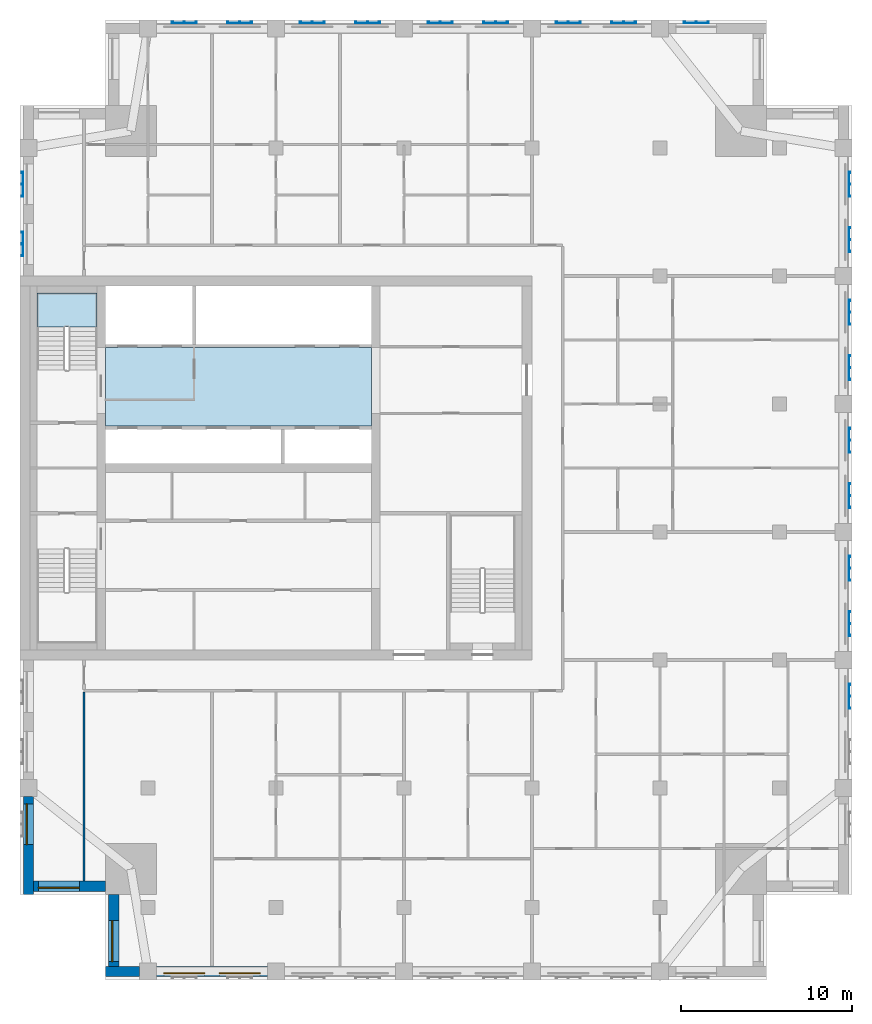
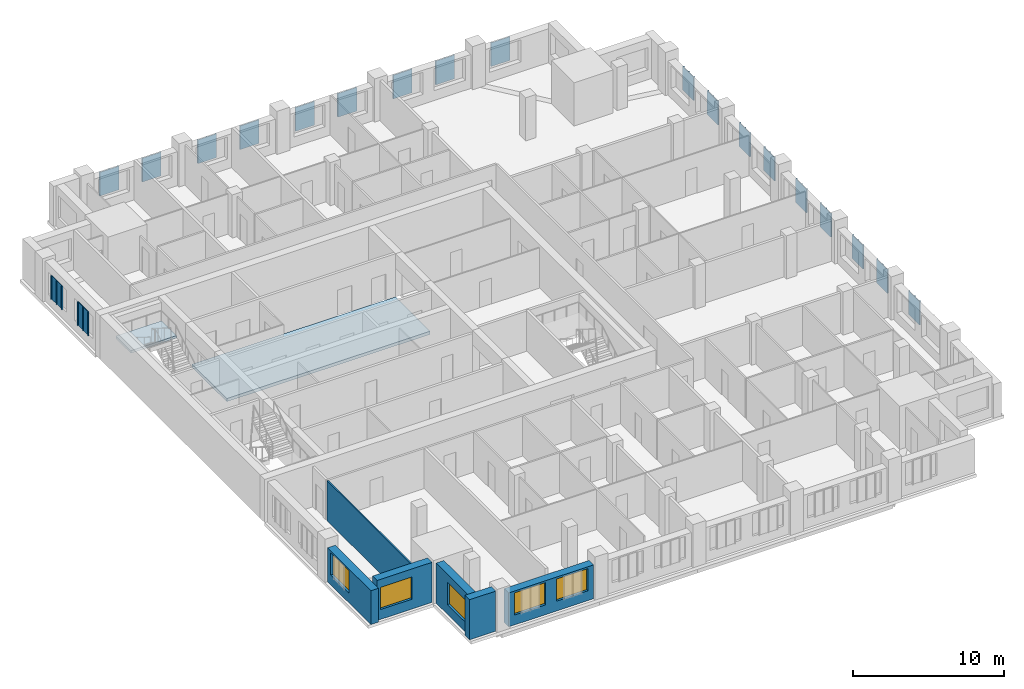
# One storey, part 2 of 11: 20 plates, 6 walls, 5 windows, 2 slabs, 5 openings, 1 element without a shape of its own.
"""IFC4 building model written with IfcOpenShell, lengths in metres."""

from ifc_helpers import new_model, si_unit, direction, frame, frame_2d, origin, place, context, subcontext, project, spatial, polyline, rectangle, outline, extrude, material, layer, layer_set, type_object, element, fill, aggregate, save


model = new_model("IFC4")

# Units and contexts
model_context = context("Model", 3, precision=1e-05, world=origin(), true_north=direction((0.0, 1.0)))
body_context = subcontext(model_context, "Body", "Model", "MODEL_VIEW")
ifc_project = project(units=[si_unit("LENGTHUNIT", "METRE"), si_unit("AREAUNIT", "SQUARE_METRE"), si_unit("VOLUMEUNIT", "CUBIC_METRE"), si_unit("PLANEANGLEUNIT", "RADIAN"), si_unit("MASSUNIT", "GRAM", prefix="KILO")], contexts=[model_context])

# Site, building, storey
site_placement = place(None, origin())
site = spatial("IfcSite", under=ifc_project, at=site_placement, CompositionType="ELEMENT")
building_placement = place(site_placement, origin())
building = spatial("IfcBuilding", under=site, at=building_placement, Name="Tamorin Gate", CompositionType="ELEMENT")
storey_placement = place(building_placement, frame((0.0, 0.0, 247.699951171875)))
storey = spatial("IfcBuildingStorey", under=building, at=storey_placement, Name="L62", CompositionType="ELEMENT", Elevation=247.699951171875)

# Slab
ifc_material_1 = material(Name="Concrete C40/50", Category="concrete")
ifc_layer_1 = layer(ifc_material_1, 0.25)
ifc_layer_set_1 = layer_set([ifc_layer_1], Name="Core floor slab 250 C40/50")
slab_type_1 = type_object("IfcSlabType", Name="Core floor slab 250 C40/50", PredefinedType="FLOOR", material=ifc_layer_set_1)
slab_1_placement = place(storey_placement, frame((0.0, 0.0, -0.25)))
element("IfcSlab", 1, at=slab_1_placement, inside=storey, type_object=slab_type_1, Name="Core floor L62", PredefinedType="FLOOR", context=body_context, shape_type="SweptSolid", body=[
    extrude(outline(polyline([(50.60009765625, 73.699951171875), (35.0, 73.699951171875), (35.0, 78.300048828125), (50.60009765625, 78.300048828125), (50.60009765625, 73.699951171875)])), origin(), (0.0, 0.0, 1.0), 0.25),
])

# Stair, slab
stair_type = type_object("IfcStairType", Name="Exit stair", PredefinedType="HALF_TURN_STAIR", material=ifc_material_1)
stair_placement = place(storey_placement, origin())
stair = element("IfcStair", 2, at=stair_placement, inside=storey, type_object=stair_type, Name="L62 stair ST2", PredefinedType="HALF_TURN_STAIR")
ifc_layer_2 = layer(ifc_material_1, 0.199951171875)
ifc_layer_set_2 = layer_set([ifc_layer_2], Name="Exit stair landing 200")
slab_type_2 = type_object("IfcSlabType", Name="Exit stair landing 200", PredefinedType="LANDING", material=ifc_layer_set_2)
slab_2_placement = place(storey_placement, frame((0.0, 0.0, 1.550048828125)))
slab_2 = element("IfcSlab", 3, at=slab_2_placement, type_object=slab_type_2, Name="ST2 landing 1", PredefinedType="LANDING", context=body_context, shape_type="SweptSolid", body=[
    extrude(outline(polyline([(34.5, 79.52001953125), (34.5, 81.5), (31.0, 81.5), (31.0, 79.52001953125), (34.5, 79.52001953125)])), origin(), (0.0, 0.0, 1.0), 0.199951171875),
])
aggregate(stair, [slab_2])

# Plates
ifc_material_2 = material(Name="Perforated pale aluminium sheet", Category="aluminium")
ifc_layer_3 = layer(ifc_material_2, 0.0400390625)
ifc_layer_set_3 = layer_set([ifc_layer_3], Name="Pale metal solar screen 1440")
plate_type = type_object("IfcPlateType", Name="Pale metal solar screen 1440", PredefinedType="SHEET", material=ifc_layer_set_3)
plate_1_placement = place(storey_placement, frame((0.0, 0.0, 0.737548828125)))
element("IfcPlate", 4, at=plate_1_placement, inside=storey, type_object=plate_type, Name="Perforated solar screen", PredefinedType="SHEET", context=body_context, shape_type="SweptSolid", body=[
    extrude(outline(polyline([(78.590087890625, 57.155029296875), (78.550048828125, 57.155029296875), (78.550048828125, 57.215087890625), (78.550048828125, 57.844970703125), (78.550048828125, 57.905029296875), (78.550048828125, 58.534912109375), (78.550048828125, 58.594970703125), (78.590087890625, 58.594970703125), (78.64990234375, 58.594970703125), (78.64990234375, 58.534912109375), (78.590087890625, 58.534912109375), (78.590087890625, 57.905029296875), (78.64990234375, 57.905029296875), (78.64990234375, 57.844970703125), (78.590087890625, 57.844970703125), (78.590087890625, 57.215087890625), (78.64990234375, 57.215087890625), (78.64990234375, 57.155029296875), (78.590087890625, 57.155029296875)])), origin(), (0.0, 0.0, 1.0), 1.925048828125),
])
plate_2_placement = place(storey_placement, frame((0.0, 0.0, 0.737548828125)))
element("IfcPlate", 5, at=plate_2_placement, inside=storey, type_object=plate_type, Name="Perforated solar screen", PredefinedType="SHEET", context=body_context, shape_type="SweptSolid", body=[
    extrude(outline(polyline([(78.590087890625, 61.405029296875), (78.550048828125, 61.405029296875), (78.550048828125, 61.465087890625), (78.550048828125, 62.094970703125), (78.550048828125, 62.155029296875), (78.550048828125, 62.784912109375), (78.550048828125, 62.844970703125), (78.590087890625, 62.844970703125), (78.64990234375, 62.844970703125), (78.64990234375, 62.784912109375), (78.590087890625, 62.784912109375), (78.590087890625, 62.155029296875), (78.64990234375, 62.155029296875), (78.64990234375, 62.094970703125), (78.590087890625, 62.094970703125), (78.590087890625, 61.465087890625), (78.64990234375, 61.465087890625), (78.64990234375, 61.405029296875), (78.590087890625, 61.405029296875)])), origin(), (0.0, 0.0, 1.0), 1.925048828125),
])
plate_3_placement = place(storey_placement, frame((0.0, 0.0, 0.737548828125)))
element("IfcPlate", 6, at=plate_3_placement, inside=storey, type_object=plate_type, Name="Perforated solar screen", PredefinedType="SHEET", context=body_context, shape_type="SweptSolid", body=[
    extrude(outline(polyline([(78.590087890625, 64.655029296875), (78.550048828125, 64.655029296875), (78.550048828125, 64.715087890625), (78.550048828125, 65.344970703125), (78.550048828125, 65.405029296875), (78.550048828125, 66.034912109375), (78.550048828125, 66.094970703125), (78.590087890625, 66.094970703125), (78.64990234375, 66.094970703125), (78.64990234375, 66.034912109375), (78.590087890625, 66.034912109375), (78.590087890625, 65.405029296875), (78.64990234375, 65.405029296875), (78.64990234375, 65.344970703125), (78.590087890625, 65.344970703125), (78.590087890625, 64.715087890625), (78.64990234375, 64.715087890625), (78.64990234375, 64.655029296875), (78.590087890625, 64.655029296875)])), origin(), (0.0, 0.0, 1.0), 1.925048828125),
])
plate_4_placement = place(storey_placement, frame((0.0, 0.0, 0.737548828125)))
element("IfcPlate", 7, at=plate_4_placement, inside=storey, type_object=plate_type, Name="Perforated solar screen", PredefinedType="SHEET", context=body_context, shape_type="SweptSolid", body=[
    extrude(outline(polyline([(78.590087890625, 68.905029296875), (78.550048828125, 68.905029296875), (78.550048828125, 68.965087890625), (78.550048828125, 69.594970703125), (78.550048828125, 69.655029296875), (78.550048828125, 70.284912109375), (78.550048828125, 70.344970703125), (78.590087890625, 70.344970703125), (78.64990234375, 70.344970703125), (78.64990234375, 70.284912109375), (78.590087890625, 70.284912109375), (78.590087890625, 69.655029296875), (78.64990234375, 69.655029296875), (78.64990234375, 69.594970703125), (78.590087890625, 69.594970703125), (78.590087890625, 68.965087890625), (78.64990234375, 68.965087890625), (78.64990234375, 68.905029296875), (78.590087890625, 68.905029296875)])), origin(), (0.0, 0.0, 1.0), 1.925048828125),
])
plate_5_placement = place(storey_placement, frame((0.0, 0.0, 0.737548828125)))
element("IfcPlate", 8, at=plate_5_placement, inside=storey, type_object=plate_type, Name="Perforated solar screen", PredefinedType="SHEET", context=body_context, shape_type="SweptSolid", body=[
    extrude(outline(polyline([(78.590087890625, 72.155029296875), (78.550048828125, 72.155029296875), (78.550048828125, 72.215087890625), (78.550048828125, 72.844970703125), (78.550048828125, 72.905029296875), (78.550048828125, 73.534912109375), (78.550048828125, 73.594970703125), (78.590087890625, 73.594970703125), (78.64990234375, 73.594970703125), (78.64990234375, 73.534912109375), (78.590087890625, 73.534912109375), (78.590087890625, 72.905029296875), (78.64990234375, 72.905029296875), (78.64990234375, 72.844970703125), (78.590087890625, 72.844970703125), (78.590087890625, 72.215087890625), (78.64990234375, 72.215087890625), (78.64990234375, 72.155029296875), (78.590087890625, 72.155029296875)])), origin(), (0.0, 0.0, 1.0), 1.925048828125),
])
plate_6_placement = place(storey_placement, frame((0.0, 0.0, 0.737548828125)))
element("IfcPlate", 9, at=plate_6_placement, inside=storey, type_object=plate_type, Name="Perforated solar screen", PredefinedType="SHEET", context=body_context, shape_type="SweptSolid", body=[
    extrude(outline(polyline([(78.590087890625, 76.405029296875), (78.550048828125, 76.405029296875), (78.550048828125, 76.465087890625), (78.550048828125, 77.094970703125), (78.550048828125, 77.155029296875), (78.550048828125, 77.784912109375), (78.550048828125, 77.844970703125), (78.590087890625, 77.844970703125), (78.64990234375, 77.844970703125), (78.64990234375, 77.784912109375), (78.590087890625, 77.784912109375), (78.590087890625, 77.155029296875), (78.64990234375, 77.155029296875), (78.64990234375, 77.094970703125), (78.590087890625, 77.094970703125), (78.590087890625, 76.465087890625), (78.64990234375, 76.465087890625), (78.64990234375, 76.405029296875), (78.590087890625, 76.405029296875)])), origin(), (0.0, 0.0, 1.0), 1.925048828125),
])
plate_7_placement = place(storey_placement, frame((0.0, 0.0, 0.737548828125)))
element("IfcPlate", 10, at=plate_7_placement, inside=storey, type_object=plate_type, Name="Perforated solar screen", PredefinedType="SHEET", context=body_context, shape_type="SweptSolid", body=[
    extrude(outline(polyline([(78.590087890625, 79.655029296875), (78.550048828125, 79.655029296875), (78.550048828125, 79.715087890625), (78.550048828125, 80.344970703125), (78.550048828125, 80.405029296875), (78.550048828125, 81.034912109375), (78.550048828125, 81.094970703125), (78.590087890625, 81.094970703125), (78.64990234375, 81.094970703125), (78.64990234375, 81.034912109375), (78.590087890625, 81.034912109375), (78.590087890625, 80.405029296875), (78.64990234375, 80.405029296875), (78.64990234375, 80.344970703125), (78.590087890625, 80.344970703125), (78.590087890625, 79.715087890625), (78.64990234375, 79.715087890625), (78.64990234375, 79.655029296875), (78.590087890625, 79.655029296875)])), origin(), (0.0, 0.0, 1.0), 1.925048828125),
])
plate_8_placement = place(storey_placement, frame((0.0, 0.0, 0.737548828125)))
element("IfcPlate", 11, at=plate_8_placement, inside=storey, type_object=plate_type, Name="Perforated solar screen", PredefinedType="SHEET", context=body_context, shape_type="SweptSolid", body=[
    extrude(outline(polyline([(78.590087890625, 83.905029296875), (78.550048828125, 83.905029296875), (78.550048828125, 83.965087890625), (78.550048828125, 84.594970703125), (78.550048828125, 84.655029296875), (78.550048828125, 85.284912109375), (78.550048828125, 85.344970703125), (78.590087890625, 85.344970703125), (78.64990234375, 85.344970703125), (78.64990234375, 85.284912109375), (78.590087890625, 85.284912109375), (78.590087890625, 84.655029296875), (78.64990234375, 84.655029296875), (78.64990234375, 84.594970703125), (78.590087890625, 84.594970703125), (78.590087890625, 83.965087890625), (78.64990234375, 83.965087890625), (78.64990234375, 83.905029296875), (78.590087890625, 83.905029296875)])), origin(), (0.0, 0.0, 1.0), 1.925048828125),
])
plate_9_placement = place(storey_placement, frame((0.0, 0.0, 0.737548828125)))
element("IfcPlate", 12, at=plate_9_placement, inside=storey, type_object=plate_type, Name="Perforated solar screen", PredefinedType="SHEET", context=body_context, shape_type="SweptSolid", body=[
    extrude(outline(polyline([(78.590087890625, 87.155029296875), (78.550048828125, 87.155029296875), (78.550048828125, 87.215087890625), (78.550048828125, 87.844970703125), (78.550048828125, 87.905029296875), (78.550048828125, 88.534912109375), (78.550048828125, 88.594970703125), (78.590087890625, 88.594970703125), (78.64990234375, 88.594970703125), (78.64990234375, 88.534912109375), (78.590087890625, 88.534912109375), (78.590087890625, 87.905029296875), (78.64990234375, 87.905029296875), (78.64990234375, 87.844970703125), (78.590087890625, 87.844970703125), (78.590087890625, 87.215087890625), (78.64990234375, 87.215087890625), (78.64990234375, 87.155029296875), (78.590087890625, 87.155029296875)])), origin(), (0.0, 0.0, 1.0), 1.925048828125),
])
plate_10_placement = place(storey_placement, frame((0.0, 0.0, 0.737548828125)))
element("IfcPlate", 13, at=plate_10_placement, inside=storey, type_object=plate_type, Name="Perforated solar screen", PredefinedType="SHEET", context=body_context, shape_type="SweptSolid", body=[
    extrude(outline(polyline([(70.344970703125, 97.340087890625), (70.344970703125, 97.300048828125), (70.284912109375, 97.300048828125), (69.655029296875, 97.300048828125), (69.594970703125, 97.300048828125), (68.965087890625, 97.300048828125), (68.905029296875, 97.300048828125), (68.905029296875, 97.300048828125), (68.905029296875, 97.340087890625), (68.905029296875, 97.340087890625), (68.905029296875, 97.39990234375), (68.965087890625, 97.39990234375), (68.965087890625, 97.340087890625), (69.594970703125, 97.340087890625), (69.594970703125, 97.39990234375), (69.655029296875, 97.39990234375), (69.655029296875, 97.340087890625), (70.284912109375, 97.340087890625), (70.284912109375, 97.39990234375), (70.344970703125, 97.39990234375), (70.344970703125, 97.340087890625)])), origin(), (0.0, 0.0, 1.0), 1.925048828125),
])
plate_11_placement = place(storey_placement, frame((0.0, 0.0, 0.737548828125)))
element("IfcPlate", 14, at=plate_11_placement, inside=storey, type_object=plate_type, Name="Perforated solar screen", PredefinedType="SHEET", context=body_context, shape_type="SweptSolid", body=[
    extrude(outline(polyline([(62.844970703125, 97.340087890625), (62.844970703125, 97.300048828125), (62.784912109375, 97.300048828125), (62.155029296875, 97.300048828125), (62.094970703125, 97.300048828125), (61.465087890625, 97.300048828125), (61.405029296875, 97.300048828125), (61.405029296875, 97.340087890625), (61.405029296875, 97.39990234375), (61.465087890625, 97.39990234375), (61.465087890625, 97.340087890625), (62.094970703125, 97.340087890625), (62.094970703125, 97.39990234375), (62.155029296875, 97.39990234375), (62.155029296875, 97.340087890625), (62.784912109375, 97.340087890625), (62.784912109375, 97.39990234375), (62.844970703125, 97.39990234375), (62.844970703125, 97.340087890625)])), origin(), (0.0, 0.0, 1.0), 1.925048828125),
])
plate_12_placement = place(storey_placement, frame((0.0, 0.0, 0.737548828125)))
element("IfcPlate", 15, at=plate_12_placement, inside=storey, type_object=plate_type, Name="Perforated solar screen", PredefinedType="SHEET", context=body_context, shape_type="SweptSolid", body=[
    extrude(outline(polyline([(66.094970703125, 97.340087890625), (66.094970703125, 97.300048828125), (66.034912109375, 97.300048828125), (65.405029296875, 97.300048828125), (65.344970703125, 97.300048828125), (64.715087890625, 97.300048828125), (64.655029296875, 97.300048828125), (64.655029296875, 97.340087890625), (64.655029296875, 97.39990234375), (64.715087890625, 97.39990234375), (64.715087890625, 97.340087890625), (65.344970703125, 97.340087890625), (65.344970703125, 97.39990234375), (65.405029296875, 97.39990234375), (65.405029296875, 97.340087890625), (66.034912109375, 97.340087890625), (66.034912109375, 97.39990234375), (66.094970703125, 97.39990234375), (66.094970703125, 97.340087890625)])), origin(), (0.0, 0.0, 1.0), 1.925048828125),
])
plate_13_placement = place(storey_placement, frame((0.0, 0.0, 0.737548828125)))
element("IfcPlate", 16, at=plate_13_placement, inside=storey, type_object=plate_type, Name="Perforated solar screen", PredefinedType="SHEET", context=body_context, shape_type="SweptSolid", body=[
    extrude(outline(polyline([(55.344970703125, 97.340087890625), (55.344970703125, 97.300048828125), (55.284912109375, 97.300048828125), (54.655029296875, 97.300048828125), (54.594970703125, 97.300048828125), (53.965087890625, 97.300048828125), (53.905029296875, 97.300048828125), (53.905029296875, 97.340087890625), (53.905029296875, 97.39990234375), (53.965087890625, 97.39990234375), (53.965087890625, 97.340087890625), (54.594970703125, 97.340087890625), (54.594970703125, 97.39990234375), (54.655029296875, 97.39990234375), (54.655029296875, 97.340087890625), (55.284912109375, 97.340087890625), (55.284912109375, 97.39990234375), (55.344970703125, 97.39990234375), (55.344970703125, 97.340087890625)])), origin(), (0.0, 0.0, 1.0), 1.925048828125),
])
plate_14_placement = place(storey_placement, frame((0.0, 0.0, 0.737548828125)))
element("IfcPlate", 17, at=plate_14_placement, inside=storey, type_object=plate_type, Name="Perforated solar screen", PredefinedType="SHEET", context=body_context, shape_type="SweptSolid", body=[
    extrude(outline(polyline([(58.594970703125, 97.340087890625), (58.594970703125, 97.300048828125), (58.534912109375, 97.300048828125), (57.905029296875, 97.300048828125), (57.844970703125, 97.300048828125), (57.215087890625, 97.300048828125), (57.155029296875, 97.300048828125), (57.155029296875, 97.340087890625), (57.155029296875, 97.39990234375), (57.215087890625, 97.39990234375), (57.215087890625, 97.340087890625), (57.844970703125, 97.340087890625), (57.844970703125, 97.39990234375), (57.905029296875, 97.39990234375), (57.905029296875, 97.340087890625), (58.534912109375, 97.340087890625), (58.534912109375, 97.39990234375), (58.594970703125, 97.39990234375), (58.594970703125, 97.340087890625)])), origin(), (0.0, 0.0, 1.0), 1.925048828125),
])
plate_15_placement = place(storey_placement, frame((0.0, 0.0, 0.737548828125)))
element("IfcPlate", 18, at=plate_15_placement, inside=storey, type_object=plate_type, Name="Perforated solar screen", PredefinedType="SHEET", context=body_context, shape_type="SweptSolid", body=[
    extrude(outline(polyline([(47.844970703125, 97.340087890625), (47.844970703125, 97.300048828125), (47.784912109375, 97.300048828125), (47.155029296875, 97.300048828125), (47.094970703125, 97.300048828125), (46.465087890625, 97.300048828125), (46.405029296875, 97.300048828125), (46.405029296875, 97.340087890625), (46.405029296875, 97.39990234375), (46.465087890625, 97.39990234375), (46.465087890625, 97.340087890625), (47.094970703125, 97.340087890625), (47.094970703125, 97.39990234375), (47.155029296875, 97.39990234375), (47.155029296875, 97.340087890625), (47.784912109375, 97.340087890625), (47.784912109375, 97.39990234375), (47.844970703125, 97.39990234375), (47.844970703125, 97.340087890625)])), origin(), (0.0, 0.0, 1.0), 1.925048828125),
])
plate_16_placement = place(storey_placement, frame((0.0, 0.0, 0.737548828125)))
element("IfcPlate", 19, at=plate_16_placement, inside=storey, type_object=plate_type, Name="Perforated solar screen", PredefinedType="SHEET", context=body_context, shape_type="SweptSolid", body=[
    extrude(outline(polyline([(51.094970703125, 97.340087890625), (51.094970703125, 97.300048828125), (51.034912109375, 97.300048828125), (50.405029296875, 97.300048828125), (50.344970703125, 97.300048828125), (49.715087890625, 97.300048828125), (49.655029296875, 97.300048828125), (49.655029296875, 97.340087890625), (49.655029296875, 97.39990234375), (49.715087890625, 97.39990234375), (49.715087890625, 97.340087890625), (50.344970703125, 97.340087890625), (50.344970703125, 97.39990234375), (50.405029296875, 97.39990234375), (50.405029296875, 97.340087890625), (51.034912109375, 97.340087890625), (51.034912109375, 97.39990234375), (51.094970703125, 97.39990234375), (51.094970703125, 97.340087890625)])), origin(), (0.0, 0.0, 1.0), 1.925048828125),
])
plate_17_placement = place(storey_placement, frame((0.0, 0.0, 0.737548828125)))
element("IfcPlate", 20, at=plate_17_placement, inside=storey, type_object=plate_type, Name="Perforated solar screen", PredefinedType="SHEET", context=body_context, shape_type="SweptSolid", body=[
    extrude(outline(polyline([(40.344970703125, 97.340087890625), (40.344970703125, 97.300048828125), (40.284912109375, 97.300048828125), (39.655029296875, 97.300048828125), (39.594970703125, 97.300048828125), (38.965087890625, 97.300048828125), (38.905029296875, 97.300048828125), (38.905029296875, 97.340087890625), (38.905029296875, 97.39990234375), (38.965087890625, 97.39990234375), (38.965087890625, 97.340087890625), (39.594970703125, 97.340087890625), (39.594970703125, 97.39990234375), (39.655029296875, 97.39990234375), (39.655029296875, 97.340087890625), (40.284912109375, 97.340087890625), (40.284912109375, 97.39990234375), (40.344970703125, 97.39990234375), (40.344970703125, 97.340087890625)])), origin(), (0.0, 0.0, 1.0), 1.925048828125),
])
plate_18_placement = place(storey_placement, frame((0.0, 0.0, 0.737548828125)))
element("IfcPlate", 21, at=plate_18_placement, inside=storey, type_object=plate_type, Name="Perforated solar screen", PredefinedType="SHEET", context=body_context, shape_type="SweptSolid", body=[
    extrude(outline(polyline([(43.594970703125, 97.340087890625), (43.594970703125, 97.300048828125), (43.534912109375, 97.300048828125), (42.905029296875, 97.300048828125), (42.844970703125, 97.300048828125), (42.215087890625, 97.300048828125), (42.155029296875, 97.300048828125), (42.155029296875, 97.340087890625), (42.155029296875, 97.39990234375), (42.215087890625, 97.39990234375), (42.215087890625, 97.340087890625), (42.844970703125, 97.340087890625), (42.844970703125, 97.39990234375), (42.905029296875, 97.39990234375), (42.905029296875, 97.340087890625), (43.534912109375, 97.340087890625), (43.534912109375, 97.39990234375), (43.594970703125, 97.39990234375), (43.594970703125, 97.340087890625)])), origin(), (0.0, 0.0, 1.0), 1.925048828125),
])
plate_19_placement = place(storey_placement, frame((0.0, 0.0, 0.737548828125)))
element("IfcPlate", 22, at=plate_19_placement, inside=storey, type_object=plate_type, Name="Perforated solar screen", PredefinedType="SHEET", context=body_context, shape_type="SweptSolid", body=[
    extrude(outline(polyline([(30.159912109375, 85.094970703125), (30.199951171875, 85.094970703125), (30.199951171875, 85.034912109375), (30.199951171875, 84.405029296875), (30.199951171875, 84.344970703125), (30.199951171875, 83.715087890625), (30.199951171875, 83.655029296875), (30.159912109375, 83.655029296875), (30.10009765625, 83.655029296875), (30.10009765625, 83.715087890625), (30.159912109375, 83.715087890625), (30.159912109375, 84.344970703125), (30.10009765625, 84.344970703125), (30.10009765625, 84.405029296875), (30.159912109375, 84.405029296875), (30.159912109375, 85.034912109375), (30.10009765625, 85.034912109375), (30.10009765625, 85.094970703125), (30.159912109375, 85.094970703125)])), origin(), (0.0, 0.0, 1.0), 1.925048828125),
])
plate_20_placement = place(storey_placement, frame((0.0, 0.0, 0.737548828125)))
element("IfcPlate", 23, at=plate_20_placement, inside=storey, type_object=plate_type, Name="Perforated solar screen", PredefinedType="SHEET", context=body_context, shape_type="SweptSolid", body=[
    extrude(outline(polyline([(30.159912109375, 88.594970703125), (30.199951171875, 88.594970703125), (30.199951171875, 88.534912109375), (30.199951171875, 87.905029296875), (30.199951171875, 87.844970703125), (30.199951171875, 87.215087890625), (30.199951171875, 87.155029296875), (30.199951171875, 87.155029296875), (30.159912109375, 87.155029296875), (30.159912109375, 87.155029296875), (30.10009765625, 87.155029296875), (30.10009765625, 87.215087890625), (30.159912109375, 87.215087890625), (30.159912109375, 87.844970703125), (30.10009765625, 87.844970703125), (30.10009765625, 87.905029296875), (30.159912109375, 87.905029296875), (30.159912109375, 88.534912109375), (30.10009765625, 88.534912109375), (30.10009765625, 88.594970703125), (30.159912109375, 88.594970703125)])), origin(), (0.0, 0.0, 1.0), 1.925048828125),
])

# Wall
ifc_material_3 = material(Name="Precast concrete C40/50", Category="concrete")
ifc_layer_4 = layer(ifc_material_3, 0.60009765625)
ifc_layer_set_4 = layer_set([ifc_layer_4], Name="Precast concrete C40/50")
wall_type_1 = type_object("IfcWallType", Name="Board-marked concrete facade panel 600", PredefinedType="SOLIDWALL", material=ifc_layer_set_4)
wall_1_placement = place(storey_placement, frame((35.0, 41.75, 0.0), z_axis=(0.0, 0.0, 1.0), x_axis=(1.0, 0.0, 0.0)))
element("IfcWall", 24, at=wall_1_placement, inside=storey, type_object=wall_type_1, Name="Facade panel", PredefinedType="SOLIDWALL", context=body_context, shape_type="SweptSolid", body=[
    extrude(rectangle(XDim=2.0, YDim=0.60009765625, at=frame_2d((1.0, 0.0))), origin(), (0.0, 0.0, 1.0), 3.25),
])

# Wall, openings, windows
wall_2_placement = place(storey_placement, frame((38.0, 41.75, 0.0), z_axis=(0.0, 0.0, 1.0), x_axis=(1.0, 0.0, 0.0)))
wall_2 = element("IfcWall", 25, at=wall_2_placement, inside=storey, type_object=wall_type_1, Name="Facade panel", PredefinedType="SOLIDWALL", context=body_context, shape_type="SweptSolid", body=[
    extrude(rectangle(XDim=6.5, YDim=0.60009765625, at=frame_2d((3.25, 0.0))), origin(), (0.0, 0.0, 1.0), 2.75),
])
opening_1_placement = place(wall_2_placement, frame((0.425048828125, 0.0, 0.800048828125)))
opening_1 = element("IfcOpeningElement", 26, at=opening_1_placement, cuts=wall_2, Name="Opening WN1", PredefinedType="OPENING", context=body_context, shape_type="SweptSolid", body=[
    extrude(rectangle(XDim=2.39990234375, YDim=1.800048828125, at=frame_2d((1.199951171875, 0.89990234375))), frame((0.0, 0.31005859375, 0.0), z_axis=(0.0, -1.0, 0.0), x_axis=(1.0, 0.0, 0.0)), (0.0, 0.0, 1.0), 0.6201171875),
])
opening_2_placement = place(wall_2_placement, frame((3.675048828125, 0.0, 0.800048828125)))
opening_2 = element("IfcOpeningElement", 27, at=opening_2_placement, cuts=wall_2, Name="Opening WN1", PredefinedType="OPENING", context=body_context, shape_type="SweptSolid", body=[
    extrude(rectangle(XDim=2.39990234375, YDim=1.800048828125, at=frame_2d((1.199951171875, 0.89990234375))), frame((0.0, 0.31005859375, 0.0), z_axis=(0.0, -1.0, 0.0), x_axis=(1.0, 0.0, 0.0)), (0.0, 0.0, 1.0), 0.6201171875),
])
ifc_material_4 = material(Name="Clear glass in aluminium frame", Category="aluminium")
window_type = type_object("IfcWindowType", Name="Deep-set window 2400x1800", PartitioningType="SINGLE_PANEL", PredefinedType="WINDOW", material=ifc_material_4)
window_1_placement = place(opening_1_placement, origin())
window_1 = element("IfcWindow", 28, at=window_1_placement, inside=storey, type_object=window_type, Name="Deep-set window", OverallHeight=1.800048828125, OverallWidth=2.39990234375, PartitioningType="SINGLE_PANEL", PredefinedType="WINDOW", context=body_context, shape_type="SweptSolid", body=[
    extrude(rectangle(XDim=2.39990234375, YDim=1.800048828125, at=frame_2d((1.199951171875, 0.89990234375))), frame((0.0, -0.070068359375, 0.0), z_axis=(0.0, -1.0, 0.0), x_axis=(1.0, 0.0, 0.0)), (0.0, 0.0, 1.0), 0.06005859375),
])
fill(opening_1, window_1)
window_2_placement = place(opening_2_placement, origin())
window_2 = element("IfcWindow", 29, at=window_2_placement, inside=storey, type_object=window_type, Name="Deep-set window", OverallHeight=1.800048828125, OverallWidth=2.39990234375, PartitioningType="SINGLE_PANEL", PredefinedType="WINDOW", context=body_context, shape_type="SweptSolid", body=[
    extrude(rectangle(XDim=2.39990234375, YDim=1.800048828125, at=frame_2d((1.199951171875, 0.89990234375))), frame((0.0, -0.070068359375, 0.0), z_axis=(0.0, -1.0, 0.0), x_axis=(1.0, 0.0, 0.0)), (0.0, 0.0, 1.0), 0.06005859375),
])
fill(opening_2, window_2)

# Wall, opening, window
wall_3_placement = place(storey_placement, frame((30.5, 52.0, 0.0), z_axis=(0.0, 0.0, 1.0), x_axis=(0.0, -1.0, 0.0)))
wall_3 = element("IfcWall", 30, at=wall_3_placement, inside=storey, type_object=wall_type_1, Name="Facade panel", PredefinedType="SOLIDWALL", context=body_context, shape_type="SweptSolid", body=[
    extrude(rectangle(XDim=5.75, YDim=0.60009765625, at=frame_2d((2.875, 0.0))), origin(), (0.0, 0.0, 1.0), 2.75),
])
opening_3_placement = place(wall_3_placement, frame((0.425048828125, 0.0, 0.800048828125)))
opening_3 = element("IfcOpeningElement", 31, at=opening_3_placement, cuts=wall_3, Name="Opening WN1", PredefinedType="OPENING", context=body_context, shape_type="SweptSolid", body=[
    extrude(rectangle(XDim=2.39990234375, YDim=1.800048828125, at=frame_2d((1.199951171875, 0.89990234375))), frame((0.0, 0.31005859375, 0.0), z_axis=(0.0, -1.0, 0.0), x_axis=(1.0, 0.0, 0.0)), (0.0, 0.0, 1.0), 0.6201171875),
])
window_3_placement = place(opening_3_placement, origin())
window_3 = element("IfcWindow", 32, at=window_3_placement, inside=storey, type_object=window_type, Name="Deep-set window", OverallHeight=1.800048828125, OverallWidth=2.39990234375, PartitioningType="SINGLE_PANEL", PredefinedType="WINDOW", context=body_context, shape_type="SweptSolid", body=[
    extrude(rectangle(XDim=2.39990234375, YDim=1.800048828125, at=frame_2d((1.199951171875, 0.89990234375))), frame((0.0, -0.070068359375, 0.0), z_axis=(0.0, -1.0, 0.0), x_axis=(1.0, 0.0, 0.0)), (0.0, 0.0, 1.0), 0.06005859375),
])
fill(opening_3, window_3)

wall_4_placement = place(storey_placement, frame((30.800048828125, 46.75, 0.0), z_axis=(0.0, 0.0, 1.0), x_axis=(1.0, 0.0, 0.0)))
wall_4 = element("IfcWall", 33, at=wall_4_placement, inside=storey, type_object=wall_type_1, Name="Facade panel", PredefinedType="SOLIDWALL", context=body_context, shape_type="SweptSolid", body=[
    extrude(rectangle(XDim=4.199951171875, YDim=0.60009765625, at=frame_2d((2.10009765625, 0.0))), origin(), (0.0, 0.0, 1.0), 3.25),
])
opening_4_placement = place(wall_4_placement, frame((0.27490234375, 0.0, 0.800048828125)))
opening_4 = element("IfcOpeningElement", 34, at=opening_4_placement, cuts=wall_4, Name="Opening WN1", PredefinedType="OPENING", context=body_context, shape_type="SweptSolid", body=[
    extrude(rectangle(XDim=2.39990234375, YDim=1.800048828125, at=frame_2d((1.199951171875, 0.89990234375))), frame((0.0, 0.31005859375, 0.0), z_axis=(0.0, -1.0, 0.0), x_axis=(1.0, 0.0, 0.0)), (0.0, 0.0, 1.0), 0.6201171875),
])
window_4_placement = place(opening_4_placement, origin())
window_4 = element("IfcWindow", 35, at=window_4_placement, inside=storey, type_object=window_type, Name="Deep-set window", OverallHeight=1.800048828125, OverallWidth=2.39990234375, PartitioningType="SINGLE_PANEL", PredefinedType="WINDOW", context=body_context, shape_type="SweptSolid", body=[
    extrude(rectangle(XDim=2.39990234375, YDim=1.800048828125, at=frame_2d((1.199951171875, 0.89990234375))), frame((0.0, -0.070068359375, 0.0), z_axis=(0.0, -1.0, 0.0), x_axis=(1.0, 0.0, 0.0)), (0.0, 0.0, 1.0), 0.06005859375),
])
fill(opening_4, window_4)

wall_5_placement = place(storey_placement, frame((35.5, 46.25, 0.0), z_axis=(0.0, 0.0, 1.0), x_axis=(0.0, -1.0, 0.0)))
wall_5 = element("IfcWall", 36, at=wall_5_placement, inside=storey, type_object=wall_type_1, Name="Facade panel", PredefinedType="SOLIDWALL", context=body_context, shape_type="SweptSolid", body=[
    extrude(rectangle(XDim=4.199951171875, YDim=0.60009765625, at=frame_2d((2.10009765625, 0.0))), origin(), (0.0, 0.0, 1.0), 3.25),
])
opening_5_placement = place(wall_5_placement, frame((1.52490234375, 0.0, 0.800048828125)))
opening_5 = element("IfcOpeningElement", 37, at=opening_5_placement, cuts=wall_5, Name="Opening WN1", PredefinedType="OPENING", context=body_context, shape_type="SweptSolid", body=[
    extrude(rectangle(XDim=2.39990234375, YDim=1.800048828125, at=frame_2d((1.199951171875, 0.89990234375))), frame((0.0, 0.31005859375, 0.0), z_axis=(0.0, -1.0, 0.0), x_axis=(1.0, 0.0, 0.0)), (0.0, 0.0, 1.0), 0.6201171875),
])
window_5_placement = place(opening_5_placement, origin())
window_5 = element("IfcWindow", 38, at=window_5_placement, inside=storey, type_object=window_type, Name="Deep-set window", OverallHeight=1.800048828125, OverallWidth=2.39990234375, PartitioningType="SINGLE_PANEL", PredefinedType="WINDOW", context=body_context, shape_type="SweptSolid", body=[
    extrude(rectangle(XDim=2.39990234375, YDim=1.800048828125, at=frame_2d((1.199951171875, 0.89990234375))), frame((0.0, -0.070068359375, 0.0), z_axis=(0.0, -1.0, 0.0), x_axis=(1.0, 0.0, 0.0)), (0.0, 0.0, 1.0), 0.06005859375),
])
fill(opening_5, window_5)

# Wall
ifc_material_5 = material(Name="Gypsum board partition")
ifc_layer_5 = layer(ifc_material_5, 0.10009765625)
ifc_layer_set_5 = layer_set([ifc_layer_5], Name="Room partition 100")
wall_type_2 = type_object("IfcWallType", Name="Room partition 100", PredefinedType="PARTITIONING", material=ifc_layer_set_5)
wall_6_placement = place(storey_placement, frame((33.75, 47.06005859375, 0.0), z_axis=(0.0, 0.0, 1.0), x_axis=(0.0, 1.0, 0.0)))
element("IfcWall", 39, at=wall_6_placement, inside=storey, type_object=wall_type_2, Name="Room partition 100", PredefinedType="PARTITIONING", context=body_context, shape_type="SweptSolid", body=[
    extrude(rectangle(XDim=11.06494140625, YDim=0.10009765625, at=frame_2d((5.532470703125, 0.0))), origin(), (0.0, 0.0, 1.0), 3.25),
])

save(model, "model.ifc")
